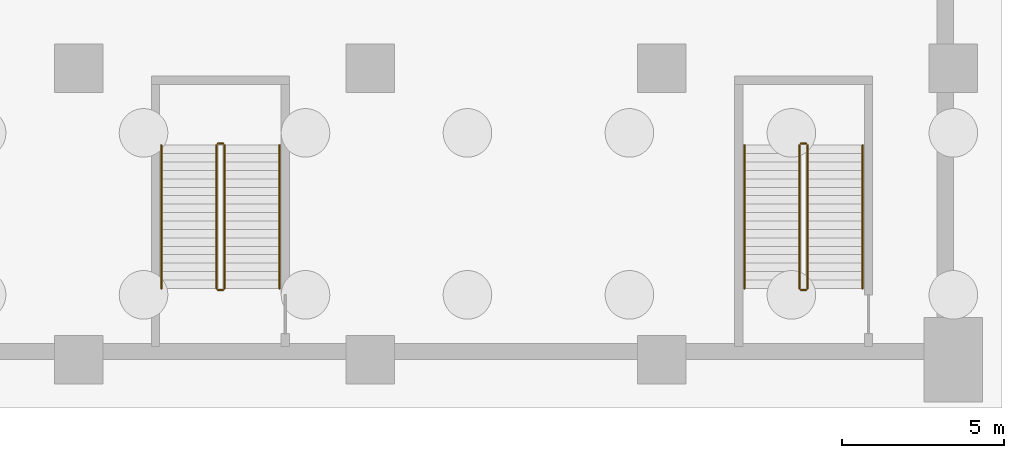
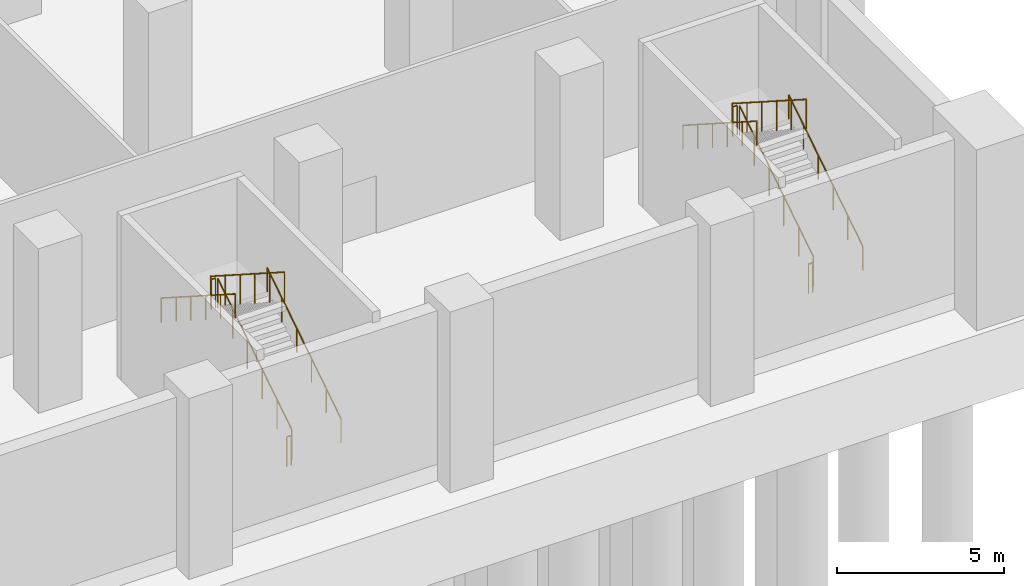
# One storey, part 21 of 25: 12 railings.
"""IFC4 building model written with IfcOpenShell, lengths in metres."""

from ifc_helpers import new_model, si_unit, direction, frame, origin, origin_2d, place, context, subcontext, project, spatial, circle, extrude, material, type_object, element, save


model = new_model("IFC4")

# Units and contexts
model_context = context("Model", 3, precision=1e-05, world=origin(), true_north=direction((0.0, 1.0)))
body_context = subcontext(model_context, "Body", "Model", "MODEL_VIEW")
ifc_project = project(units=[si_unit("LENGTHUNIT", "METRE"), si_unit("AREAUNIT", "SQUARE_METRE"), si_unit("VOLUMEUNIT", "CUBIC_METRE"), si_unit("PLANEANGLEUNIT", "RADIAN"), si_unit("MASSUNIT", "GRAM", prefix="KILO")], contexts=[model_context])

# Site, building, storey
site_placement = place(None, origin())
site = spatial("IfcSite", under=ifc_project, at=site_placement, CompositionType="ELEMENT")
building_placement = place(site_placement, origin())
building = spatial("IfcBuilding", under=site, at=building_placement, Name="Hunhe Ridgeline Campus", CompositionType="ELEMENT")
storey_placement = place(building_placement, frame((0.0, 0.0, -6.0)))
storey = spatial("IfcBuildingStorey", under=building, at=storey_placement, Name="B1", CompositionType="ELEMENT", Elevation=-6.0)

# Railings
ifc_material = material(Name="Steel Q235", Category="steel")
railing_type_1 = type_object("IfcRailingType", Name="Podium stair guard 1100", PredefinedType="GUARDRAIL", material=ifc_material)
railing_1_placement = place(storey_placement, frame((67.5, 20.199951171875, 0.166748046875)))
element("IfcRailing", 1, at=railing_1_placement, inside=storey, type_object=railing_type_1, Name="B1 PS2 stair guard 1", PredefinedType="GUARDRAIL", context=body_context, shape_type="SweptSolid", body=[
    extrude(circle(Radius=0.02392578125, at=origin_2d()), frame((0.0, 0.0, 1.076171875), z_axis=(0.0, 0.841895389996, 0.53964076227), x_axis=(-1.0, 0.0, 0.0)), (0.0, 0.0, 1.0), 5.250244140625),
    extrude(circle(Radius=0.02099609375, at=origin_2d()), origin(), (0.0, 0.0, 1.0), 1.052001953125),
    extrude(circle(Radius=0.02099609375, at=origin_2d()), frame((0.0, 0.884033203125, 0.566650390625)), (0.0, 0.0, 1.0), 1.052001953125),
    extrude(circle(Radius=0.02099609375, at=origin_2d()), frame((0.0, 1.76806640625, 1.13330078125)), (0.0, 0.0, 1.0), 1.052001953125),
    extrude(circle(Radius=0.02099609375, at=origin_2d()), frame((0.0, 2.652099609375, 1.699951171875)), (0.0, 0.0, 1.0), 1.052001953125),
    extrude(circle(Radius=0.02099609375, at=origin_2d()), frame((0.0, 3.5361328125, 2.2666015625)), (0.0, 0.0, 1.0), 1.052001953125),
    extrude(circle(Radius=0.02099609375, at=origin_2d()), frame((0.0, 4.420166015625, 2.833251953125)), (0.0, 0.0, 1.0), 1.052001953125),
])
railing_2_placement = place(storey_placement, frame((67.449951171875, 24.669921875, 3.0)))
element("IfcRailing", 2, at=railing_2_placement, inside=storey, type_object=railing_type_1, Name="B1 PS2 stair guard 2", PredefinedType="GUARDRAIL", context=body_context, shape_type="SweptSolid", body=[
    extrude(circle(Radius=0.02392578125, at=origin_2d()), frame((0.0, 0.0, 1.076171875), z_axis=(-1.0, 0.0, 0.0), x_axis=(0.0, -1.0, 0.0)), (0.0, 0.0, 1.0), 0.14990234375),
    extrude(circle(Radius=0.02099609375, at=origin_2d()), origin(), (0.0, 0.0, 1.0), 1.052001953125),
    extrude(circle(Radius=0.02099609375, at=origin_2d()), frame((-0.14990234375, 0.0, 0.0)), (0.0, 0.0, 1.0), 1.052001953125),
])
railing_3_placement = place(storey_placement, frame((67.25, 24.6201171875, 3.166748046875)))
element("IfcRailing", 3, at=railing_3_placement, inside=storey, type_object=railing_type_1, Name="B1 PS2 stair guard 3", PredefinedType="GUARDRAIL", context=body_context, shape_type="SweptSolid", body=[
    extrude(circle(Radius=0.02392578125, at=origin_2d()), frame((0.0, 0.0, 1.076171875), z_axis=(0.0, -0.841895389996, 0.53964076227), x_axis=(1.0, 0.0, 0.0)), (0.0, 0.0, 1.0), 5.250244140625),
    extrude(circle(Radius=0.02099609375, at=origin_2d()), origin(), (0.0, 0.0, 1.0), 1.052001953125),
    extrude(circle(Radius=0.02099609375, at=origin_2d()), frame((0.0, -0.884033203125, 0.566650390625)), (0.0, 0.0, 1.0), 1.052001953125),
    extrude(circle(Radius=0.02099609375, at=origin_2d()), frame((0.0, -1.76806640625, 1.13330078125)), (0.0, 0.0, 1.0), 1.052001953125),
    extrude(circle(Radius=0.02099609375, at=origin_2d()), frame((0.0, -2.652099609375, 1.699951171875)), (0.0, 0.0, 1.0), 1.052001953125),
    extrude(circle(Radius=0.02099609375, at=origin_2d()), frame((0.0, -3.5361328125, 2.2666015625)), (0.0, 0.0, 1.0), 1.052001953125),
    extrude(circle(Radius=0.02099609375, at=origin_2d()), frame((0.0, -4.420166015625, 2.833251953125)), (0.0, 0.0, 1.0), 1.052001953125),
])
railing_4_placement = place(storey_placement, frame((67.449951171875, 20.14990234375, 0.0)))
element("IfcRailing", 4, at=railing_4_placement, inside=storey, type_object=railing_type_1, Name="B1 PS2 stair guard 4", PredefinedType="GUARDRAIL", context=body_context, shape_type="SweptSolid", body=[
    extrude(circle(Radius=0.02392578125, at=origin_2d()), frame((0.0, 0.0, 1.076171875), z_axis=(-1.0, 0.0, 0.0), x_axis=(0.0, -1.0, 0.0)), (0.0, 0.0, 1.0), 0.14990234375),
    extrude(circle(Radius=0.02099609375, at=origin_2d()), origin(), (0.0, 0.0, 1.0), 1.052001953125),
    extrude(circle(Radius=0.02099609375, at=origin_2d()), frame((-0.14990234375, 0.0, 0.0)), (0.0, 0.0, 1.0), 1.052001953125),
])
railing_5_placement = place(storey_placement, frame((85.5, 20.199951171875, 0.166748046875)))
element("IfcRailing", 5, at=railing_5_placement, inside=storey, type_object=railing_type_1, Name="B1 PS3 stair guard 1", PredefinedType="GUARDRAIL", context=body_context, shape_type="SweptSolid", body=[
    extrude(circle(Radius=0.02392578125, at=origin_2d()), frame((0.0, 0.0, 1.076171875), z_axis=(0.0, 0.841895389996, 0.53964076227), x_axis=(-1.0, 0.0, 0.0)), (0.0, 0.0, 1.0), 5.250244140625),
    extrude(circle(Radius=0.02099609375, at=origin_2d()), origin(), (0.0, 0.0, 1.0), 1.052001953125),
    extrude(circle(Radius=0.02099609375, at=origin_2d()), frame((0.0, 0.884033203125, 0.566650390625)), (0.0, 0.0, 1.0), 1.052001953125),
    extrude(circle(Radius=0.02099609375, at=origin_2d()), frame((0.0, 1.76806640625, 1.13330078125)), (0.0, 0.0, 1.0), 1.052001953125),
    extrude(circle(Radius=0.02099609375, at=origin_2d()), frame((0.0, 2.652099609375, 1.699951171875)), (0.0, 0.0, 1.0), 1.052001953125),
    extrude(circle(Radius=0.02099609375, at=origin_2d()), frame((0.0, 3.5361328125, 2.2666015625)), (0.0, 0.0, 1.0), 1.052001953125),
    extrude(circle(Radius=0.02099609375, at=origin_2d()), frame((0.0, 4.420166015625, 2.833251953125)), (0.0, 0.0, 1.0), 1.052001953125),
])
railing_6_placement = place(storey_placement, frame((85.449951171875, 24.669921875, 3.0)))
element("IfcRailing", 6, at=railing_6_placement, inside=storey, type_object=railing_type_1, Name="B1 PS3 stair guard 2", PredefinedType="GUARDRAIL", context=body_context, shape_type="SweptSolid", body=[
    extrude(circle(Radius=0.02392578125, at=origin_2d()), frame((0.0, 0.0, 1.076171875), z_axis=(-1.0, 0.0, 0.0), x_axis=(0.0, -1.0, 0.0)), (0.0, 0.0, 1.0), 0.14990234375),
    extrude(circle(Radius=0.02099609375, at=origin_2d()), origin(), (0.0, 0.0, 1.0), 1.052001953125),
    extrude(circle(Radius=0.02099609375, at=origin_2d()), frame((-0.14990234375, 0.0, 0.0)), (0.0, 0.0, 1.0), 1.052001953125),
])
railing_7_placement = place(storey_placement, frame((85.25, 24.6201171875, 3.166748046875)))
element("IfcRailing", 7, at=railing_7_placement, inside=storey, type_object=railing_type_1, Name="B1 PS3 stair guard 3", PredefinedType="GUARDRAIL", context=body_context, shape_type="SweptSolid", body=[
    extrude(circle(Radius=0.02392578125, at=origin_2d()), frame((0.0, 0.0, 1.076171875), z_axis=(0.0, -0.841895389996, 0.53964076227), x_axis=(1.0, 0.0, 0.0)), (0.0, 0.0, 1.0), 5.250244140625),
    extrude(circle(Radius=0.02099609375, at=origin_2d()), origin(), (0.0, 0.0, 1.0), 1.052001953125),
    extrude(circle(Radius=0.02099609375, at=origin_2d()), frame((0.0, -0.884033203125, 0.566650390625)), (0.0, 0.0, 1.0), 1.052001953125),
    extrude(circle(Radius=0.02099609375, at=origin_2d()), frame((0.0, -1.76806640625, 1.13330078125)), (0.0, 0.0, 1.0), 1.052001953125),
    extrude(circle(Radius=0.02099609375, at=origin_2d()), frame((0.0, -2.652099609375, 1.699951171875)), (0.0, 0.0, 1.0), 1.052001953125),
    extrude(circle(Radius=0.02099609375, at=origin_2d()), frame((0.0, -3.5361328125, 2.2666015625)), (0.0, 0.0, 1.0), 1.052001953125),
    extrude(circle(Radius=0.02099609375, at=origin_2d()), frame((0.0, -4.420166015625, 2.833251953125)), (0.0, 0.0, 1.0), 1.052001953125),
])
railing_8_placement = place(storey_placement, frame((85.449951171875, 20.14990234375, 0.0)))
element("IfcRailing", 8, at=railing_8_placement, inside=storey, type_object=railing_type_1, Name="B1 PS3 stair guard 4", PredefinedType="GUARDRAIL", context=body_context, shape_type="SweptSolid", body=[
    extrude(circle(Radius=0.02392578125, at=origin_2d()), frame((0.0, 0.0, 1.076171875), z_axis=(-1.0, 0.0, 0.0), x_axis=(0.0, -1.0, 0.0)), (0.0, 0.0, 1.0), 0.14990234375),
    extrude(circle(Radius=0.02099609375, at=origin_2d()), origin(), (0.0, 0.0, 1.0), 1.052001953125),
    extrude(circle(Radius=0.02099609375, at=origin_2d()), frame((-0.14990234375, 0.0, 0.0)), (0.0, 0.0, 1.0), 1.052001953125),
])
railing_type_2 = type_object("IfcRailingType", Name="Podium stair handrail", PredefinedType="HANDRAIL", material=ifc_material)
railing_9_placement = place(storey_placement, frame((69.199951171875, 20.199951171875, 0.166748046875)))
element("IfcRailing", 9, at=railing_9_placement, inside=storey, type_object=railing_type_2, Name="B1 PS2 stair handrail 1", PredefinedType="HANDRAIL", context=body_context, shape_type="SweptSolid", body=[
    extrude(circle(Radius=0.02392578125, at=origin_2d()), frame((0.0, 0.0, 0.8759765625), z_axis=(0.0, 0.841895389996, 0.53964076227), x_axis=(-1.0, 0.0, 0.0)), (0.0, 0.0, 1.0), 5.250244140625),
    extrude(circle(Radius=0.02099609375, at=origin_2d()), origin(), (0.0, 0.0, 1.0), 0.851806640625),
    extrude(circle(Radius=0.02099609375, at=origin_2d()), frame((0.0, 0.884033203125, 0.566650390625)), (0.0, 0.0, 1.0), 0.851806640625),
    extrude(circle(Radius=0.02099609375, at=origin_2d()), frame((0.0, 1.76806640625, 1.13330078125)), (0.0, 0.0, 1.0), 0.851806640625),
    extrude(circle(Radius=0.02099609375, at=origin_2d()), frame((0.0, 2.652099609375, 1.699951171875)), (0.0, 0.0, 1.0), 0.851806640625),
    extrude(circle(Radius=0.02099609375, at=origin_2d()), frame((0.0, 3.5361328125, 2.2666015625)), (0.0, 0.0, 1.0), 0.851806640625),
    extrude(circle(Radius=0.02099609375, at=origin_2d()), frame((0.0, 4.420166015625, 2.833251953125)), (0.0, 0.0, 1.0), 0.851806640625),
])
railing_10_placement = place(storey_placement, frame((65.550048828125, 24.6201171875, 3.166748046875)))
element("IfcRailing", 10, at=railing_10_placement, inside=storey, type_object=railing_type_2, Name="B1 PS2 stair handrail 2", PredefinedType="HANDRAIL", context=body_context, shape_type="SweptSolid", body=[
    extrude(circle(Radius=0.02392578125, at=origin_2d()), frame((0.0, 0.0, 0.8759765625), z_axis=(0.0, -0.841895389996, 0.53964076227), x_axis=(1.0, 0.0, 0.0)), (0.0, 0.0, 1.0), 5.250244140625),
    extrude(circle(Radius=0.02099609375, at=origin_2d()), origin(), (0.0, 0.0, 1.0), 0.851806640625),
    extrude(circle(Radius=0.02099609375, at=origin_2d()), frame((0.0, -0.884033203125, 0.566650390625)), (0.0, 0.0, 1.0), 0.851806640625),
    extrude(circle(Radius=0.02099609375, at=origin_2d()), frame((0.0, -1.76806640625, 1.13330078125)), (0.0, 0.0, 1.0), 0.851806640625),
    extrude(circle(Radius=0.02099609375, at=origin_2d()), frame((0.0, -2.652099609375, 1.699951171875)), (0.0, 0.0, 1.0), 0.851806640625),
    extrude(circle(Radius=0.02099609375, at=origin_2d()), frame((0.0, -3.5361328125, 2.2666015625)), (0.0, 0.0, 1.0), 0.851806640625),
    extrude(circle(Radius=0.02099609375, at=origin_2d()), frame((0.0, -4.420166015625, 2.833251953125)), (0.0, 0.0, 1.0), 0.851806640625),
])
railing_11_placement = place(storey_placement, frame((87.199951171875, 20.199951171875, 0.166748046875)))
element("IfcRailing", 11, at=railing_11_placement, inside=storey, type_object=railing_type_2, Name="B1 PS3 stair handrail 1", PredefinedType="HANDRAIL", context=body_context, shape_type="SweptSolid", body=[
    extrude(circle(Radius=0.02392578125, at=origin_2d()), frame((0.0, 0.0, 0.8759765625), z_axis=(0.0, 0.841895389996, 0.53964076227), x_axis=(-1.0, 0.0, 0.0)), (0.0, 0.0, 1.0), 5.250244140625),
    extrude(circle(Radius=0.02099609375, at=origin_2d()), origin(), (0.0, 0.0, 1.0), 0.851806640625),
    extrude(circle(Radius=0.02099609375, at=origin_2d()), frame((0.0, 0.884033203125, 0.566650390625)), (0.0, 0.0, 1.0), 0.851806640625),
    extrude(circle(Radius=0.02099609375, at=origin_2d()), frame((0.0, 1.76806640625, 1.13330078125)), (0.0, 0.0, 1.0), 0.851806640625),
    extrude(circle(Radius=0.02099609375, at=origin_2d()), frame((0.0, 2.652099609375, 1.699951171875)), (0.0, 0.0, 1.0), 0.851806640625),
    extrude(circle(Radius=0.02099609375, at=origin_2d()), frame((0.0, 3.5361328125, 2.2666015625)), (0.0, 0.0, 1.0), 0.851806640625),
    extrude(circle(Radius=0.02099609375, at=origin_2d()), frame((0.0, 4.420166015625, 2.833251953125)), (0.0, 0.0, 1.0), 0.851806640625),
])
railing_12_placement = place(storey_placement, frame((83.550048828125, 24.6201171875, 3.166748046875)))
element("IfcRailing", 12, at=railing_12_placement, inside=storey, type_object=railing_type_2, Name="B1 PS3 stair handrail 2", PredefinedType="HANDRAIL", context=body_context, shape_type="SweptSolid", body=[
    extrude(circle(Radius=0.02392578125, at=origin_2d()), frame((0.0, 0.0, 0.8759765625), z_axis=(0.0, -0.841895389996, 0.53964076227), x_axis=(1.0, 0.0, 0.0)), (0.0, 0.0, 1.0), 5.250244140625),
    extrude(circle(Radius=0.02099609375, at=origin_2d()), origin(), (0.0, 0.0, 1.0), 0.851806640625),
    extrude(circle(Radius=0.02099609375, at=origin_2d()), frame((0.0, -0.884033203125, 0.566650390625)), (0.0, 0.0, 1.0), 0.851806640625),
    extrude(circle(Radius=0.02099609375, at=origin_2d()), frame((0.0, -1.76806640625, 1.13330078125)), (0.0, 0.0, 1.0), 0.851806640625),
    extrude(circle(Radius=0.02099609375, at=origin_2d()), frame((0.0, -2.652099609375, 1.699951171875)), (0.0, 0.0, 1.0), 0.851806640625),
    extrude(circle(Radius=0.02099609375, at=origin_2d()), frame((0.0, -3.5361328125, 2.2666015625)), (0.0, 0.0, 1.0), 0.851806640625),
    extrude(circle(Radius=0.02099609375, at=origin_2d()), frame((0.0, -4.420166015625, 2.833251953125)), (0.0, 0.0, 1.0), 0.851806640625),
])

save(model, "model.ifc")
